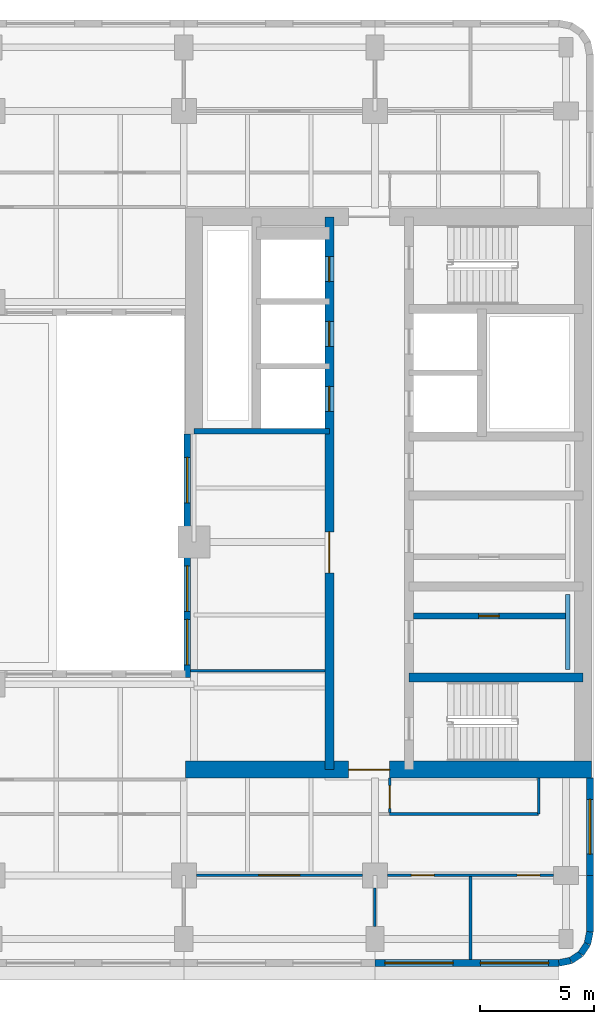
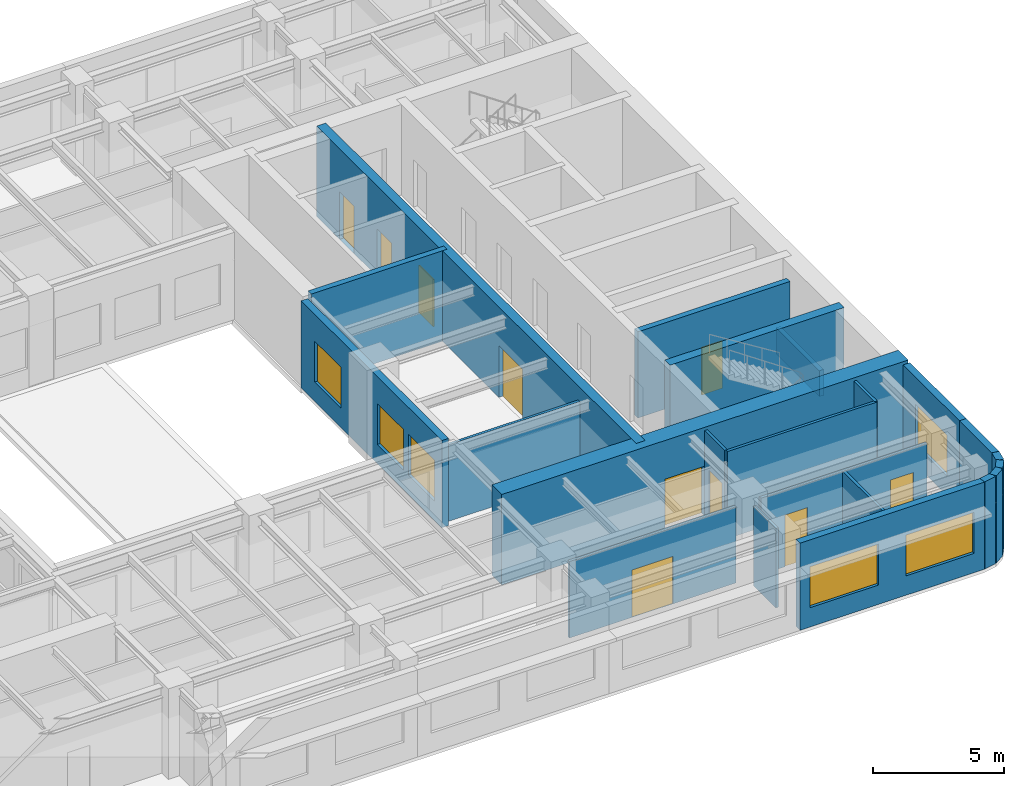
# One storey, part 5 of 11: 22 walls, 10 doors, 6 windows, 16 openings.
"""IFC4 building model written with IfcOpenShell, lengths in metres."""

from ifc_helpers import new_model, si_unit, direction, frame, frame_2d, origin, place, context, subcontext, project, spatial, rectangle, extrude, material, layer, layer_set, type_object, element, fill, save


model = new_model("IFC4")

# Units and contexts
model_context = context("Model", 3, precision=1e-05, world=origin(), true_north=direction((0.0, 1.0)))
body_context = subcontext(model_context, "Body", "Model", "MODEL_VIEW")
ifc_project = project(units=[si_unit("LENGTHUNIT", "METRE"), si_unit("AREAUNIT", "SQUARE_METRE"), si_unit("VOLUMEUNIT", "CUBIC_METRE"), si_unit("PLANEANGLEUNIT", "RADIAN"), si_unit("MASSUNIT", "GRAM", prefix="KILO")], contexts=[model_context])

# Site, building, storey
site_placement = place(None, origin())
site = spatial("IfcSite", under=ifc_project, at=site_placement, CompositionType="ELEMENT")
building_placement = place(site_placement, origin())
building = spatial("IfcBuilding", under=site, at=building_placement, Name="Claustro Exchange Tower", CompositionType="ELEMENT")
storey_placement = place(building_placement, frame((0.0, 0.0, 177.60009765625)))
storey = spatial("IfcBuildingStorey", under=building, at=storey_placement, Name="L40", CompositionType="ELEMENT", Elevation=177.60009765625)

# Wall
ifc_material_1 = material(Name="Laminated glass in aluminium frame", Category="aluminium")
ifc_layer_1 = layer(ifc_material_1, 0.1201171875)
ifc_layer_set_1 = layer_set([ifc_layer_1], Name="Laminated glass in aluminium frame")
wall_type_1 = type_object("IfcWallType", Name="P2 120 glazed partition", PredefinedType="PARTITIONING", material=ifc_layer_set_1)
wall_1_placement = place(storey_placement, frame((33.89794921875, 17.39990234375, 0.0), z_axis=(0.0, 0.0, 1.0), x_axis=(1.0, 0.0, 0.0)))
element("IfcWall", 1, at=wall_1_placement, inside=storey, type_object=wall_type_1, Name="Partition P2 L40", PredefinedType="PARTITIONING", context=body_context, shape_type="SweptSolid", body=[
    extrude(rectangle(XDim=5.904052734375, YDim=0.1201171875, at=frame_2d((2.9521484375, 0.0))), origin(), (0.0, 0.0, 1.0), 3.5498046875),
])

# Wall, opening, door
wall_2_placement = place(storey_placement, frame((34.14892578125, 8.39990234375, 0.0), z_axis=(0.0, 0.0, 1.0), x_axis=(1.0, 0.0, 0.0)))
wall_2 = element("IfcWall", 2, at=wall_2_placement, inside=storey, type_object=wall_type_1, Name="Partition P2 L40", PredefinedType="PARTITIONING", context=body_context, shape_type="SweptSolid", body=[
    extrude(rectangle(XDim=7.302001953125, YDim=0.1201171875, at=frame_2d((3.65087890625, 0.0))), origin(), (0.0, 0.0, 1.0), 3.5498046875),
])
opening_1_placement = place(wall_2_placement, frame((2.7509765625, 0.0, 0.0)))
opening_1 = element("IfcOpeningElement", 3, at=opening_1_placement, cuts=wall_2, Name="Opening D2", PredefinedType="OPENING", context=body_context, shape_type="SweptSolid", body=[
    extrude(rectangle(XDim=1.800048828125, YDim=2.199951171875, at=frame_2d((0.89990234375, 1.10009765625))), frame((0.0, 0.070068359375, 0.0), z_axis=(0.0, -1.0, 0.0), x_axis=(1.0, 0.0, 0.0)), (0.0, 0.0, 1.0), 0.14013671875),
])
ifc_material_2 = material(Name="Timber door, oak veneer", Category="wood")
door_type_1 = type_object("IfcDoorType", Name="D2 1800 x 2200 double door", OperationType="DOUBLE_DOOR_SINGLE_SWING", PredefinedType="DOOR", material=ifc_material_2)
door_1_placement = place(opening_1_placement, frame((1.800048828125, 0.0, 0.0), z_axis=(0.0, 0.0, 1.0), x_axis=(-1.0, 0.0, 0.0)))
door_1 = element("IfcDoor", 4, at=door_1_placement, inside=storey, type_object=door_type_1, Name="Double door D2 L40", OperationType="DOUBLE_DOOR_SINGLE_SWING", OverallHeight=2.199951171875, OverallWidth=1.800048828125, PredefinedType="DOOR", context=body_context, shape_type="SweptSolid", body=[
    extrude(rectangle(XDim=1.800048828125, YDim=2.199951171875, at=frame_2d((0.89990234375, 1.10009765625))), frame((0.0, 0.02490234375, 0.0), z_axis=(0.0, -1.0, 0.0), x_axis=(1.0, 0.0, 0.0)), (0.0, 0.0, 1.0), 0.050048828125),
])
fill(opening_1, door_1)

# Wall, openings, doors
wall_3_placement = place(storey_placement, frame((42.549072265625, 8.39990234375, 0.0), z_axis=(0.0, 0.0, 1.0), x_axis=(1.0, 0.0, 0.0)))
wall_3 = element("IfcWall", 5, at=wall_3_placement, inside=storey, type_object=wall_type_1, Name="Partition P2 L40", PredefinedType="PARTITIONING", context=body_context, shape_type="SweptSolid", body=[
    extrude(rectangle(XDim=7.302001953125, YDim=0.1201171875, at=frame_2d((3.65087890625, 0.0))), origin(), (0.0, 0.0, 1.0), 3.5498046875),
])
opening_2_placement = place(wall_3_placement, frame((1.051025390625, 0.0, 0.0)))
opening_2 = element("IfcOpeningElement", 6, at=opening_2_placement, cuts=wall_3, Name="Opening D7", PredefinedType="OPENING", context=body_context, shape_type="SweptSolid", body=[
    extrude(rectangle(XDim=1.0, YDim=2.39990234375, at=frame_2d((0.5, 1.199951171875))), frame((0.0, 0.070068359375, 0.0), z_axis=(0.0, -1.0, 0.0), x_axis=(1.0, 0.0, 0.0)), (0.0, 0.0, 1.0), 0.14013671875),
])
opening_3_placement = place(wall_3_placement, frame((5.700927734375, 0.0, 0.0)))
opening_3 = element("IfcOpeningElement", 7, at=opening_3_placement, cuts=wall_3, Name="Opening D7", PredefinedType="OPENING", context=body_context, shape_type="SweptSolid", body=[
    extrude(rectangle(XDim=1.0, YDim=2.39990234375, at=frame_2d((0.5, 1.199951171875))), frame((0.0, 0.070068359375, 0.0), z_axis=(0.0, -1.0, 0.0), x_axis=(1.0, 0.0, 0.0)), (0.0, 0.0, 1.0), 0.14013671875),
])
ifc_material_3 = material(Name="Glass door in aluminium frame", Category="aluminium")
door_type_2 = type_object("IfcDoorType", Name="D7 1000 x 2400 glazed door", OperationType="SINGLE_SWING_LEFT", PredefinedType="DOOR", material=ifc_material_3)
door_2_placement = place(opening_2_placement, frame((1.0, 0.0, 0.0), z_axis=(0.0, 0.0, 1.0), x_axis=(-1.0, 0.0, 0.0)))
door_2 = element("IfcDoor", 8, at=door_2_placement, inside=storey, type_object=door_type_2, Name="Door D7 L40", OperationType="SINGLE_SWING_RIGHT", OverallHeight=2.39990234375, OverallWidth=1.0, PredefinedType="DOOR", context=body_context, shape_type="SweptSolid", body=[
    extrude(rectangle(XDim=1.0, YDim=2.39990234375, at=frame_2d((0.5, 1.199951171875))), frame((0.0, 0.02490234375, 0.0), z_axis=(0.0, -1.0, 0.0), x_axis=(1.0, 0.0, 0.0)), (0.0, 0.0, 1.0), 0.050048828125),
])
fill(opening_2, door_2)
door_3_placement = place(opening_3_placement, frame((1.0, 0.0, 0.0), z_axis=(0.0, 0.0, 1.0), x_axis=(-1.0, 0.0, 0.0)))
door_3 = element("IfcDoor", 9, at=door_3_placement, inside=storey, type_object=door_type_2, Name="Door D7 L40", OperationType="SINGLE_SWING_RIGHT", OverallHeight=2.39990234375, OverallWidth=1.0, PredefinedType="DOOR", context=body_context, shape_type="SweptSolid", body=[
    extrude(rectangle(XDim=1.0, YDim=2.39990234375, at=frame_2d((0.5, 1.199951171875))), frame((0.0, 0.02490234375, 0.0), z_axis=(0.0, -1.0, 0.0), x_axis=(1.0, 0.0, 0.0)), (0.0, 0.0, 1.0), 0.050048828125),
])
fill(opening_3, door_3)

# Walls
wall_4_placement = place(storey_placement, frame((42.0, 6.14892578125, 0.0), z_axis=(0.0, 0.0, 1.0), x_axis=(0.0, 1.0, 0.0)))
element("IfcWall", 10, at=wall_4_placement, inside=storey, type_object=wall_type_1, Name="Partition P2 L40", PredefinedType="PARTITIONING", context=body_context, shape_type="SweptSolid", body=[
    extrude(rectangle(XDim=1.7021484375, YDim=0.1201171875, at=frame_2d((0.85107421875, 0.0))), origin(), (0.0, 0.0, 1.0), 3.68994140625),
])
wall_5_placement = place(storey_placement, frame((46.199951171875, 4.699951171875, 0.0), z_axis=(0.0, 0.0, 1.0), x_axis=(0.0, 1.0, 0.0)))
element("IfcWall", 11, at=wall_5_placement, inside=storey, type_object=wall_type_1, Name="Partition P2 L40", PredefinedType="PARTITIONING", context=body_context, shape_type="SweptSolid", body=[
    extrude(rectangle(XDim=3.64208984375, YDim=0.1201171875, at=frame_2d((1.821044921875, 0.0))), origin(), (0.0, 0.0, 1.0), 3.5498046875),
])

# Wall, opening, door
wall_6_placement = place(storey_placement, frame((42.64990234375, 11.157958984375, 0.0), z_axis=(0.0, 0.0, 1.0), x_axis=(0.0, 1.0, 0.0)))
wall_6 = element("IfcWall", 12, at=wall_6_placement, inside=storey, type_object=wall_type_1, Name="Partition P2 L40", PredefinedType="PARTITIONING", context=body_context, shape_type="SweptSolid", body=[
    extrude(rectangle(XDim=1.51806640625, YDim=0.1201171875, at=frame_2d((0.759033203125, 0.0))), origin(), (0.0, 0.0, 1.0), 4.0498046875),
])
opening_4_placement = place(wall_6_placement, frame((0.19189453125, 0.0, 0.0)))
opening_4 = element("IfcOpeningElement", 13, at=opening_4_placement, cuts=wall_6, Name="Opening D7", PredefinedType="OPENING", context=body_context, shape_type="SweptSolid", body=[
    extrude(rectangle(XDim=1.0, YDim=2.39990234375, at=frame_2d((0.5, 1.199951171875))), frame((0.0, 0.070068359375, 0.0), z_axis=(0.0, -1.0, 0.0), x_axis=(1.0, 0.0, 0.0)), (0.0, 0.0, 1.0), 0.14013671875),
])
door_4_placement = place(opening_4_placement, frame((1.0, 0.0, 0.0), z_axis=(0.0, 0.0, 1.0), x_axis=(-1.0, 0.0, 0.0)))
door_4 = element("IfcDoor", 14, at=door_4_placement, inside=storey, type_object=door_type_2, Name="Door D7 L40", OperationType="SINGLE_SWING_RIGHT", OverallHeight=2.39990234375, OverallWidth=1.0, PredefinedType="DOOR", context=body_context, shape_type="SweptSolid", body=[
    extrude(rectangle(XDim=1.0, YDim=2.39990234375, at=frame_2d((0.5, 1.199951171875))), frame((0.0, 0.02490234375, 0.0), z_axis=(0.0, -1.0, 0.0), x_axis=(1.0, 0.0, 0.0)), (0.0, 0.0, 1.0), 0.050048828125),
])
fill(opening_4, door_4)

# Walls
wall_7_placement = place(storey_placement, frame((42.64794921875, 11.10009765625, 0.0), z_axis=(0.0, 0.0, 1.0), x_axis=(1.0, 0.0, 0.0)))
element("IfcWall", 15, at=wall_7_placement, inside=storey, type_object=wall_type_1, Name="Partition P2 L40", PredefinedType="PARTITIONING", context=body_context, shape_type="SweptSolid", body=[
    extrude(rectangle(XDim=6.552001953125, YDim=0.1201171875, at=frame_2d((3.27587890625, 0.0))), origin(), (0.0, 0.0, 1.0), 4.0498046875),
])
wall_8_placement = place(storey_placement, frame((49.199951171875, 11.10009765625, 0.0), z_axis=(0.0, 0.0, 1.0), x_axis=(0.0, 1.0, 0.0)))
element("IfcWall", 16, at=wall_8_placement, inside=storey, type_object=wall_type_1, Name="Partition P2 L40", PredefinedType="PARTITIONING", context=body_context, shape_type="SweptSolid", body=[
    extrude(rectangle(XDim=1.575927734375, YDim=0.1201171875, at=frame_2d((0.7880859375, 0.0))), origin(), (0.0, 0.0, 1.0), 4.0498046875),
])

# Wall, opening, door
ifc_material_4 = material(Name="Concrete blockwork, rendered", Category="masonry")
ifc_layer_2 = layer(ifc_material_4, 0.25)
ifc_layer_set_2 = layer_set([ifc_layer_2], Name="Concrete blockwork, rendered")
wall_type_2 = type_object("IfcWallType", Name="P4 250 blockwork wall", PredefinedType="PARTITIONING", material=ifc_layer_set_2)
wall_9_placement = place(storey_placement, frame((43.699951171875, 19.800048828125, 0.0), z_axis=(0.0, 0.0, 1.0), x_axis=(1.0, 0.0, 0.0)))
wall_9 = element("IfcWall", 17, at=wall_9_placement, inside=storey, type_object=wall_type_2, Name="Partition P4 L40", PredefinedType="PARTITIONING", context=body_context, shape_type="SweptSolid", body=[
    extrude(rectangle(XDim=6.675048828125, YDim=0.25, at=frame_2d((3.33740234375, 0.0))), origin(), (0.0, 0.0, 1.0), 4.0),
])
opening_5_placement = place(wall_9_placement, frame((2.862548828125, 0.0, 0.0)))
opening_5 = element("IfcOpeningElement", 18, at=opening_5_placement, cuts=wall_9, Name="Opening D5", PredefinedType="OPENING", context=body_context, shape_type="SweptSolid", body=[
    extrude(rectangle(XDim=0.89990234375, YDim=2.199951171875, at=frame_2d((0.449951171875, 1.10009765625))), frame((0.0, 0.135009765625, 0.0), z_axis=(0.0, -1.0, 0.0), x_axis=(1.0, 0.0, 0.0)), (0.0, 0.0, 1.0), 0.27001953125),
])
ifc_material_5 = material(Name="Steel door, painted", Category="steel")
door_type_3 = type_object("IfcDoorType", Name="D5 900 x 2200 store door", OperationType="SINGLE_SWING_LEFT", PredefinedType="DOOR", material=ifc_material_5)
door_5_placement = place(opening_5_placement, origin())
door_5 = element("IfcDoor", 19, at=door_5_placement, inside=storey, type_object=door_type_3, Name="Store door D5 L40", OperationType="SINGLE_SWING_LEFT", OverallHeight=2.199951171875, OverallWidth=0.89990234375, PredefinedType="DOOR", context=body_context, shape_type="SweptSolid", body=[
    extrude(rectangle(XDim=0.89990234375, YDim=2.199951171875, at=frame_2d((0.449951171875, 1.10009765625))), frame((0.0, 0.02490234375, 0.0), z_axis=(0.0, -1.0, 0.0), x_axis=(1.0, 0.0, 0.0)), (0.0, 0.0, 1.0), 0.050048828125),
])
fill(opening_5, door_5)

# Wall, openings, windows
ifc_material_6 = material(Name="Concrete HA-40 (C40/50), precast, white cement, acid-etched", Category="concrete")
ifc_layer_3 = layer(ifc_material_6, 0.300048828125)
ifc_layer_set_3 = layer_set([ifc_layer_3], Name="Concrete HA-40 (C40/50), precast, white cement, acid-etched")
wall_type_3 = type_object("IfcWallType", Name="PC1 300 precast concrete pier panel", PredefinedType="SOLIDWALL", material=ifc_layer_set_3)
wall_10_placement = place(storey_placement, frame((50.085205078125, 4.550048828125, 0.0), z_axis=(0.0, 0.0, 1.0), x_axis=(-1.0, 0.0, 0.0)))
wall_10 = element("IfcWall", 20, at=wall_10_placement, inside=storey, type_object=wall_type_3, Name="Precast pier panel PC1 L40", PredefinedType="SOLIDWALL", context=body_context, shape_type="SweptSolid", body=[
    extrude(rectangle(XDim=8.085205078125, YDim=0.300048828125, at=frame_2d((4.04248046875, 0.0))), origin(), (0.0, 0.0, 1.0), 4.0498046875),
])
opening_6_placement = place(wall_10_placement, frame((0.442626953125, 0.0, 0.89990234375)))
opening_6 = element("IfcOpeningElement", 21, at=opening_6_placement, cuts=wall_10, Name="Opening W1", PredefinedType="OPENING", context=body_context, shape_type="SweptSolid", body=[
    extrude(rectangle(XDim=3.0, YDim=1.89990234375, at=frame_2d((1.5, 0.949951171875))), frame((0.0, 0.159912109375, 0.0), z_axis=(0.0, -1.0, 0.0), x_axis=(1.0, 0.0, 0.0)), (0.0, 0.0, 1.0), 0.320068359375),
])
opening_7_placement = place(wall_10_placement, frame((4.642578125, 0.0, 0.89990234375)))
opening_7 = element("IfcOpeningElement", 22, at=opening_7_placement, cuts=wall_10, Name="Opening W1", PredefinedType="OPENING", context=body_context, shape_type="SweptSolid", body=[
    extrude(rectangle(XDim=3.0, YDim=1.89990234375, at=frame_2d((1.5, 0.949951171875))), frame((0.0, 0.159912109375, 0.0), z_axis=(0.0, -1.0, 0.0), x_axis=(1.0, 0.0, 0.0)), (0.0, 0.0, 1.0), 0.320068359375),
])
ifc_material_7 = material(Name="Aluminium frame, clear double glazing", Category="aluminium")
window_type_1 = type_object("IfcWindowType", Name="W1 3000 x 1900 window", PartitioningType="SINGLE_PANEL", PredefinedType="WINDOW", material=ifc_material_7)
window_1_placement = place(opening_6_placement, origin())
window_1 = element("IfcWindow", 23, at=window_1_placement, inside=storey, type_object=window_type_1, Name="Window W1 L40", OverallHeight=1.89990234375, OverallWidth=3.0, PartitioningType="SINGLE_PANEL", PredefinedType="WINDOW", context=body_context, shape_type="SweptSolid", body=[
    extrude(rectangle(XDim=3.0, YDim=1.89990234375, at=frame_2d((1.5, 0.949951171875))), frame((0.0, 0.030029296875, 0.0), z_axis=(0.0, -1.0, 0.0), x_axis=(1.0, 0.0, 0.0)), (0.0, 0.0, 1.0), 0.06005859375),
])
fill(opening_6, window_1)
window_2_placement = place(opening_7_placement, origin())
window_2 = element("IfcWindow", 24, at=window_2_placement, inside=storey, type_object=window_type_1, Name="Window W1 L40", OverallHeight=1.89990234375, OverallWidth=3.0, PartitioningType="SINGLE_PANEL", PredefinedType="WINDOW", context=body_context, shape_type="SweptSolid", body=[
    extrude(rectangle(XDim=3.0, YDim=1.89990234375, at=frame_2d((1.5, 0.949951171875))), frame((0.0, 0.030029296875, 0.0), z_axis=(0.0, -1.0, 0.0), x_axis=(1.0, 0.0, 0.0)), (0.0, 0.0, 1.0), 0.06005859375),
])
fill(opening_7, window_2)

# Wall, opening, window
wall_11_placement = place(storey_placement, frame((51.449951171875, 12.675048828125, 0.0), z_axis=(0.0, 0.0, 1.0), x_axis=(0.0, -1.0, 0.0)))
wall_11 = element("IfcWall", 25, at=wall_11_placement, inside=storey, type_object=wall_type_3, Name="Precast pier panel PC1 L40", PredefinedType="SOLIDWALL", context=body_context, shape_type="SweptSolid", body=[
    extrude(rectangle(XDim=4.275146484375, YDim=0.300048828125, at=frame_2d((2.1376953125, 0.0))), origin(), (0.0, 0.0, 1.0), 4.0498046875),
])
opening_8_placement = place(wall_11_placement, frame((0.9375, 0.0, 0.89990234375)))
opening_8 = element("IfcOpeningElement", 26, at=opening_8_placement, cuts=wall_11, Name="Opening W2", PredefinedType="OPENING", context=body_context, shape_type="SweptSolid", body=[
    extrude(rectangle(XDim=2.39990234375, YDim=1.89990234375, at=frame_2d((1.199951171875, 0.949951171875))), frame((0.0, 0.159912109375, 0.0), z_axis=(0.0, -1.0, 0.0), x_axis=(1.0, 0.0, 0.0)), (0.0, 0.0, 1.0), 0.320068359375),
])
ifc_material_8 = material(Name="Aluminium frame, clear double glazing", Category="aluminium")
window_type_2 = type_object("IfcWindowType", Name="W2 2400 x 1900 window", PartitioningType="SINGLE_PANEL", PredefinedType="WINDOW", material=ifc_material_8)
window_3_placement = place(opening_8_placement, origin())
window_3 = element("IfcWindow", 27, at=window_3_placement, inside=storey, type_object=window_type_2, Name="Window W2 L40", OverallHeight=1.89990234375, OverallWidth=2.39990234375, PartitioningType="SINGLE_PANEL", PredefinedType="WINDOW", context=body_context, shape_type="SweptSolid", body=[
    extrude(rectangle(XDim=2.39990234375, YDim=1.89990234375, at=frame_2d((1.199951171875, 0.949951171875))), frame((0.0, 0.030029296875, 0.0), z_axis=(0.0, -1.0, 0.0), x_axis=(1.0, 0.0, 0.0)), (0.0, 0.0, 1.0), 0.06005859375),
])
fill(opening_8, window_3)

# Walls
wall_12_placement = place(storey_placement, frame((51.449951171875, 8.39990234375, 0.0), z_axis=(0.0, 0.0, 1.0), x_axis=(0.0, -1.0, 0.0)))
element("IfcWall", 28, at=wall_12_placement, inside=storey, type_object=wall_type_3, Name="Precast pier panel PC1 L40", PredefinedType="SOLIDWALL", context=body_context, shape_type="SweptSolid", body=[
    extrude(rectangle(XDim=2.485107421875, YDim=0.300048828125, at=frame_2d((1.24267578125, 0.0))), origin(), (0.0, 0.0, 1.0), 4.0498046875),
])
wall_13_placement = place(storey_placement, frame((51.449951171875, 5.914794921875, 0.0), z_axis=(0.0, 0.0, 1.0), x_axis=(-0.195073962632, -0.980788534345, 0.0)))
element("IfcWall", 29, at=wall_13_placement, inside=storey, type_object=wall_type_3, Name="Precast pier panel PC1 L40", PredefinedType="SOLIDWALL", context=body_context, shape_type="SweptSolid", body=[
    extrude(rectangle(XDim=0.540771484375, YDim=0.300048828125, at=frame_2d((0.2705078125, 0.0))), origin(), (0.0, 0.0, 1.0), 4.0498046875),
])
for number, where, z_axis, x_axis, name in (
    (30, (51.344482421875, 5.384521484375, 0.0), (0.0, 0.0, 1.0), (-0.555557463938, -0.831478144188, 0.0), "Precast pier panel PC1 L40"),
    (31, (51.052490234375, 4.947509765625, 0.0), (0.0, 0.0, 1.0), (-0.831478144188, -0.555557463938, 0.0), "Precast pier panel PC1 L40"),
):
    element("IfcWall", number, at=place(storey_placement, frame(where, z_axis=z_axis, x_axis=x_axis)), inside=storey, type_object=wall_type_3, Name=name, PredefinedType="SOLIDWALL", context=body_context, shape_type="SweptSolid", body=[
        extrude(rectangle(XDim=0.525634765625, YDim=0.300048828125, at=frame_2d((0.2626953125, 0.0))), origin(), (0.0, 0.0, 1.0), 4.0498046875),
    ])
wall_14_placement = place(storey_placement, frame((50.615478515625, 4.655517578125, 0.0), z_axis=(0.0, 0.0, 1.0), x_axis=(-0.980788534345, -0.195073962632, 0.0)))
element("IfcWall", 32, at=wall_14_placement, inside=storey, type_object=wall_type_3, Name="Precast pier panel PC1 L40", PredefinedType="SOLIDWALL", context=body_context, shape_type="SweptSolid", body=[
    extrude(rectangle(XDim=0.540771484375, YDim=0.300048828125, at=frame_2d((0.2705078125, 0.0))), origin(), (0.0, 0.0, 1.0), 4.0498046875),
])

# Wall, openings, windows
wall_15_placement = place(storey_placement, frame((33.75, 17.10009765625, 0.0), z_axis=(0.0, 0.0, 1.0), x_axis=(0.0, 1.0, 0.0)))
wall_15 = element("IfcWall", 33, at=wall_15_placement, inside=storey, type_object=wall_type_3, Name="Precast pier panel PC1 L40", PredefinedType="SOLIDWALL", context=body_context, shape_type="SweptSolid", body=[
    extrude(rectangle(XDim=10.699951171875, YDim=0.300048828125, at=frame_2d((5.35009765625, 0.0))), origin(), (0.0, 0.0, 1.0), 4.0498046875),
])
opening_9_placement = place(wall_15_placement, frame((0.550048828125, 0.0, 0.89990234375)))
opening_9 = element("IfcOpeningElement", 34, at=opening_9_placement, cuts=wall_15, Name="Opening W4", PredefinedType="OPENING", context=body_context, shape_type="SweptSolid", body=[
    extrude(rectangle(XDim=2.0, YDim=1.89990234375, at=frame_2d((1.0, 0.949951171875))), frame((0.0, 0.159912109375, 0.0), z_axis=(0.0, -1.0, 0.0), x_axis=(1.0, 0.0, 0.0)), (0.0, 0.0, 1.0), 0.320068359375),
])
opening_10_placement = place(wall_15_placement, frame((2.89990234375, 0.0, 0.89990234375)))
opening_10 = element("IfcOpeningElement", 35, at=opening_10_placement, cuts=wall_15, Name="Opening W4", PredefinedType="OPENING", context=body_context, shape_type="SweptSolid", body=[
    extrude(rectangle(XDim=2.0, YDim=1.89990234375, at=frame_2d((1.0, 0.949951171875))), frame((0.0, 0.159912109375, 0.0), z_axis=(0.0, -1.0, 0.0), x_axis=(1.0, 0.0, 0.0)), (0.0, 0.0, 1.0), 0.320068359375),
])
opening_11_placement = place(wall_15_placement, frame((7.675048828125, 0.0, 0.89990234375)))
opening_11 = element("IfcOpeningElement", 36, at=opening_11_placement, cuts=wall_15, Name="Opening W4", PredefinedType="OPENING", context=body_context, shape_type="SweptSolid", body=[
    extrude(rectangle(XDim=2.0, YDim=1.89990234375, at=frame_2d((1.0, 0.949951171875))), frame((0.0, 0.159912109375, 0.0), z_axis=(0.0, -1.0, 0.0), x_axis=(1.0, 0.0, 0.0)), (0.0, 0.0, 1.0), 0.320068359375),
])
ifc_material_9 = material(Name="Aluminium frame, clear double glazing", Category="aluminium")
window_type_3 = type_object("IfcWindowType", Name="W4 2000 x 1900 light well window", PartitioningType="SINGLE_PANEL", PredefinedType="WINDOW", material=ifc_material_9)
window_4_placement = place(opening_9_placement, origin())
window_4 = element("IfcWindow", 37, at=window_4_placement, inside=storey, type_object=window_type_3, Name="Window W4 L40", OverallHeight=1.89990234375, OverallWidth=2.0, PartitioningType="SINGLE_PANEL", PredefinedType="WINDOW", context=body_context, shape_type="SweptSolid", body=[
    extrude(rectangle(XDim=2.0, YDim=1.89990234375, at=frame_2d((1.0, 0.949951171875))), frame((0.0, 0.030029296875, 0.0), z_axis=(0.0, -1.0, 0.0), x_axis=(1.0, 0.0, 0.0)), (0.0, 0.0, 1.0), 0.06005859375),
])
fill(opening_9, window_4)
window_5_placement = place(opening_10_placement, origin())
window_5 = element("IfcWindow", 38, at=window_5_placement, inside=storey, type_object=window_type_3, Name="Window W4 L40", OverallHeight=1.89990234375, OverallWidth=2.0, PartitioningType="SINGLE_PANEL", PredefinedType="WINDOW", context=body_context, shape_type="SweptSolid", body=[
    extrude(rectangle(XDim=2.0, YDim=1.89990234375, at=frame_2d((1.0, 0.949951171875))), frame((0.0, 0.030029296875, 0.0), z_axis=(0.0, -1.0, 0.0), x_axis=(1.0, 0.0, 0.0)), (0.0, 0.0, 1.0), 0.06005859375),
])
fill(opening_10, window_5)
window_6_placement = place(opening_11_placement, origin())
window_6 = element("IfcWindow", 39, at=window_6_placement, inside=storey, type_object=window_type_3, Name="Window W4 L40", OverallHeight=1.89990234375, OverallWidth=2.0, PartitioningType="SINGLE_PANEL", PredefinedType="WINDOW", context=body_context, shape_type="SweptSolid", body=[
    extrude(rectangle(XDim=2.0, YDim=1.89990234375, at=frame_2d((1.0, 0.949951171875))), frame((0.0, 0.030029296875, 0.0), z_axis=(0.0, -1.0, 0.0), x_axis=(1.0, 0.0, 0.0)), (0.0, 0.0, 1.0), 0.06005859375),
])
fill(opening_11, window_6)

# Wall
ifc_material_10 = material(Name="Gypsum board on steel studs, tiled", Category="steel")
ifc_layer_4 = layer(ifc_material_10, 0.199951171875)
ifc_layer_set_4 = layer_set([ifc_layer_4], Name="Gypsum board on steel studs, tiled")
wall_type_4 = type_object("IfcWallType", Name="PW1 200 WC duct wall", PredefinedType="PLUMBINGWALL", material=ifc_layer_set_4)
wall_16_placement = place(storey_placement, frame((50.47509765625, 17.449951171875, 0.0), z_axis=(0.0, 0.0, 1.0), x_axis=(0.0, 1.0, 0.0)))
element("IfcWall", 40, at=wall_16_placement, inside=storey, type_object=wall_type_4, Name="WC duct wall PW1 L40", PredefinedType="PLUMBINGWALL", context=body_context, shape_type="SweptSolid", body=[
    extrude(rectangle(XDim=3.300048828125, YDim=0.199951171875, at=frame_2d((1.64990234375, 0.0))), origin(), (0.0, 0.0, 1.0), 1.199951171875),
])

# Wall, opening, door
ifc_material_11 = material(Name="Concrete HA-70 (C70/85)", Category="concrete")
ifc_layer_5 = layer(ifc_material_11, 0.75)
ifc_layer_set_5 = layer_set([ifc_layer_5], Name="Concrete HA-70 (C70/85)")
wall_type_5 = type_object("IfcWallType", Name="SW2 750 core shear wall", PredefinedType="SHEAR", material=ifc_layer_set_5)
wall_17_placement = place(storey_placement, frame((33.675048828125, 13.050048828125, 0.0), z_axis=(0.0, 0.0, 1.0), x_axis=(1.0, 0.0, 0.0)))
wall_17 = element("IfcWall", 41, at=wall_17_placement, inside=storey, type_object=wall_type_5, Name="Core wall SW2 E core S face L40", PredefinedType="SHEAR", context=body_context, shape_type="SweptSolid", body=[
    extrude(rectangle(XDim=17.849853515625, YDim=0.75, at=frame_2d((8.9248046875, 0.0))), origin(), (0.0, 0.0, 1.0), 4.199951171875),
])
opening_12_placement = place(wall_17_placement, frame((7.175048828125, 0.0, 0.0)))
opening_12 = element("IfcOpeningElement", 42, at=opening_12_placement, cuts=wall_17, Name="Opening D3", PredefinedType="OPENING", context=body_context, shape_type="SweptSolid", body=[
    extrude(rectangle(XDim=1.800048828125, YDim=2.39990234375, at=frame_2d((0.89990234375, 1.199951171875))), frame((0.0, 0.385009765625, 0.0), z_axis=(0.0, -1.0, 0.0), x_axis=(1.0, 0.0, 0.0)), (0.0, 0.0, 1.0), 0.77001953125),
])
ifc_material_12 = material(Name="Steel fire door, painted", Category="steel")
door_type_4 = type_object("IfcDoorType", Name="D3 1800 x 2400 fire-rated lobby double door", OperationType="DOUBLE_DOOR_SINGLE_SWING", PredefinedType="DOOR", material=ifc_material_12)
door_6_placement = place(opening_12_placement, origin())
door_6 = element("IfcDoor", 43, at=door_6_placement, inside=storey, type_object=door_type_4, Name="Lift lobby door D3 L40", OperationType="DOUBLE_DOOR_SINGLE_SWING", OverallHeight=2.39990234375, OverallWidth=1.800048828125, PredefinedType="DOOR", context=body_context, shape_type="SweptSolid", body=[
    extrude(rectangle(XDim=1.800048828125, YDim=2.39990234375, at=frame_2d((0.89990234375, 1.199951171875))), frame((0.0, 0.02490234375, 0.0), z_axis=(0.0, -1.0, 0.0), x_axis=(1.0, 0.0, 0.0)), (0.0, 0.0, 1.0), 0.050048828125),
])
fill(opening_12, door_6)

# Wall, openings, doors
ifc_material_13 = material(Name="Concrete HA-50 (C50/60)", Category="concrete")
ifc_layer_6 = layer(ifc_material_13, 0.39990234375)
ifc_layer_set_6 = layer_set([ifc_layer_6], Name="Concrete HA-50 (C50/60)")
wall_type_6 = type_object("IfcWallType", Name="SW4 400 internal core wall", PredefinedType="SHEAR", material=ifc_layer_set_6)
wall_18_placement = place(storey_placement, frame((40.0, 13.050048828125, 0.0), z_axis=(0.0, 0.0, 1.0), x_axis=(0.0, 1.0, 0.0)))
wall_18 = element("IfcWall", 44, at=wall_18_placement, inside=storey, type_object=wall_type_6, Name="Internal core wall SW4 E core L40", PredefinedType="SHEAR", context=body_context, shape_type="SweptSolid", body=[
    extrude(rectangle(XDim=24.300048828125, YDim=0.39990234375, at=frame_2d((12.14990234375, 0.0))), origin(), (0.0, 0.0, 1.0), 4.199951171875),
])
opening_13_placement = place(wall_18_placement, frame((15.75, 0.0, 0.0)))
opening_13 = element("IfcOpeningElement", 45, at=opening_13_placement, cuts=wall_18, Name="Opening LD", PredefinedType="OPENING", context=body_context, shape_type="SweptSolid", body=[
    extrude(rectangle(XDim=1.10009765625, YDim=2.199951171875, at=frame_2d((0.550048828125, 1.10009765625))), frame((0.0, 0.2099609375, 0.0), z_axis=(0.0, -1.0, 0.0), x_axis=(1.0, 0.0, 0.0)), (0.0, 0.0, 1.0), 0.419921875),
])
opening_14_placement = place(wall_18_placement, frame((18.60009765625, 0.0, 0.0)))
opening_14 = element("IfcOpeningElement", 46, at=opening_14_placement, cuts=wall_18, Name="Opening LD", PredefinedType="OPENING", context=body_context, shape_type="SweptSolid", body=[
    extrude(rectangle(XDim=1.10009765625, YDim=2.199951171875, at=frame_2d((0.550048828125, 1.10009765625))), frame((0.0, 0.2099609375, 0.0), z_axis=(0.0, -1.0, 0.0), x_axis=(1.0, 0.0, 0.0)), (0.0, 0.0, 1.0), 0.419921875),
])
opening_15_placement = place(wall_18_placement, frame((21.449951171875, 0.0, 0.0)))
opening_15 = element("IfcOpeningElement", 47, at=opening_15_placement, cuts=wall_18, Name="Opening LD", PredefinedType="OPENING", context=body_context, shape_type="SweptSolid", body=[
    extrude(rectangle(XDim=1.10009765625, YDim=2.199951171875, at=frame_2d((0.550048828125, 1.10009765625))), frame((0.0, 0.2099609375, 0.0), z_axis=(0.0, -1.0, 0.0), x_axis=(1.0, 0.0, 0.0)), (0.0, 0.0, 1.0), 0.419921875),
])
opening_16_placement = place(wall_18_placement, frame((8.64990234375, 0.0, 0.0)))
opening_16 = element("IfcOpeningElement", 48, at=opening_16_placement, cuts=wall_18, Name="Opening D3", PredefinedType="OPENING", context=body_context, shape_type="SweptSolid", body=[
    extrude(rectangle(XDim=1.800048828125, YDim=2.39990234375, at=frame_2d((0.89990234375, 1.199951171875))), frame((0.0, 0.2099609375, 0.0), z_axis=(0.0, -1.0, 0.0), x_axis=(1.0, 0.0, 0.0)), (0.0, 0.0, 1.0), 0.419921875),
])
door_7_placement = place(opening_16_placement, origin())
door_7 = element("IfcDoor", 49, at=door_7_placement, inside=storey, type_object=door_type_4, Name="Core zone door D3 L40", OperationType="DOUBLE_DOOR_SINGLE_SWING", OverallHeight=2.39990234375, OverallWidth=1.800048828125, PredefinedType="DOOR", context=body_context, shape_type="SweptSolid", body=[
    extrude(rectangle(XDim=1.800048828125, YDim=2.39990234375, at=frame_2d((0.89990234375, 1.199951171875))), frame((0.0, 0.02490234375, 0.0), z_axis=(0.0, -1.0, 0.0), x_axis=(1.0, 0.0, 0.0)), (0.0, 0.0, 1.0), 0.050048828125),
])
fill(opening_16, door_7)
ifc_material_14 = material(Name="Stainless steel sliding door", Category="steel")
door_type_5 = type_object("IfcDoorType", Name="LD 1100 x 2200 lift landing door", OperationType="DOUBLE_DOOR_SLIDING", PredefinedType="DOOR", material=ifc_material_14)
door_8_placement = place(opening_13_placement, origin())
door_8 = element("IfcDoor", 50, at=door_8_placement, inside=storey, type_object=door_type_5, Name="Lift landing door LHE1 LD L40", OperationType="DOUBLE_DOOR_SLIDING", OverallHeight=2.199951171875, OverallWidth=1.10009765625, PredefinedType="DOOR", context=body_context, shape_type="SweptSolid", body=[
    extrude(rectangle(XDim=1.10009765625, YDim=2.199951171875, at=frame_2d((0.550048828125, 1.10009765625))), frame((0.0, 0.02490234375, 0.0), z_axis=(0.0, -1.0, 0.0), x_axis=(1.0, 0.0, 0.0)), (0.0, 0.0, 1.0), 0.050048828125),
])
fill(opening_13, door_8)
door_9_placement = place(opening_14_placement, origin())
door_9 = element("IfcDoor", 51, at=door_9_placement, inside=storey, type_object=door_type_5, Name="Lift landing door LHE2 LD L40", OperationType="DOUBLE_DOOR_SLIDING", OverallHeight=2.199951171875, OverallWidth=1.10009765625, PredefinedType="DOOR", context=body_context, shape_type="SweptSolid", body=[
    extrude(rectangle(XDim=1.10009765625, YDim=2.199951171875, at=frame_2d((0.550048828125, 1.10009765625))), frame((0.0, 0.02490234375, 0.0), z_axis=(0.0, -1.0, 0.0), x_axis=(1.0, 0.0, 0.0)), (0.0, 0.0, 1.0), 0.050048828125),
])
fill(opening_14, door_9)
door_10_placement = place(opening_15_placement, origin())
door_10 = element("IfcDoor", 52, at=door_10_placement, inside=storey, type_object=door_type_5, Name="Lift landing door LSE1 LD L40", OperationType="DOUBLE_DOOR_SLIDING", OverallHeight=2.199951171875, OverallWidth=1.10009765625, PredefinedType="DOOR", context=body_context, shape_type="SweptSolid", body=[
    extrude(rectangle(XDim=1.10009765625, YDim=2.199951171875, at=frame_2d((0.550048828125, 1.10009765625))), frame((0.0, 0.02490234375, 0.0), z_axis=(0.0, -1.0, 0.0), x_axis=(1.0, 0.0, 0.0)), (0.0, 0.0, 1.0), 0.050048828125),
])
fill(opening_15, door_10)

# Walls
wall_19_placement = place(storey_placement, frame((51.14990234375, 17.10009765625, 0.0), z_axis=(0.0, 0.0, 1.0), x_axis=(-1.0, 0.0, 0.0)))
element("IfcWall", 53, at=wall_19_placement, inside=storey, type_object=wall_type_6, Name="Internal core wall SW4 E core L40", PredefinedType="SHEAR", context=body_context, shape_type="SweptSolid", body=[
    extrude(rectangle(XDim=7.64990234375, YDim=0.39990234375, at=frame_2d((3.824951171875, 0.0))), origin(), (0.0, 0.0, 1.0), 4.199951171875),
])
ifc_material_15 = material(Name="Concrete HA-50 (C50/60)", Category="concrete")
ifc_layer_7 = layer(ifc_material_15, 0.25)
ifc_layer_set_7 = layer_set([ifc_layer_7], Name="Concrete HA-50 (C50/60)")
wall_type_7 = type_object("IfcWallType", Name="SW5 250 lift shaft divider wall", PredefinedType="SHEAR", material=ifc_layer_set_7)
wall_20_placement = place(storey_placement, frame((40.0, 27.925048828125, 0.0), z_axis=(0.0, 0.0, 1.0), x_axis=(-1.0, 0.0, 0.0)))
element("IfcWall", 54, at=wall_20_placement, inside=storey, type_object=wall_type_7, Name="Core step wall E core L40", PredefinedType="SHEAR", context=body_context, shape_type="SweptSolid", body=[
    extrude(rectangle(XDim=5.949951171875, YDim=0.25, at=frame_2d((2.97509765625, 0.0))), origin(), (0.0, 0.0, 1.0), 4.199951171875),
])

save(model, "model.ifc")
